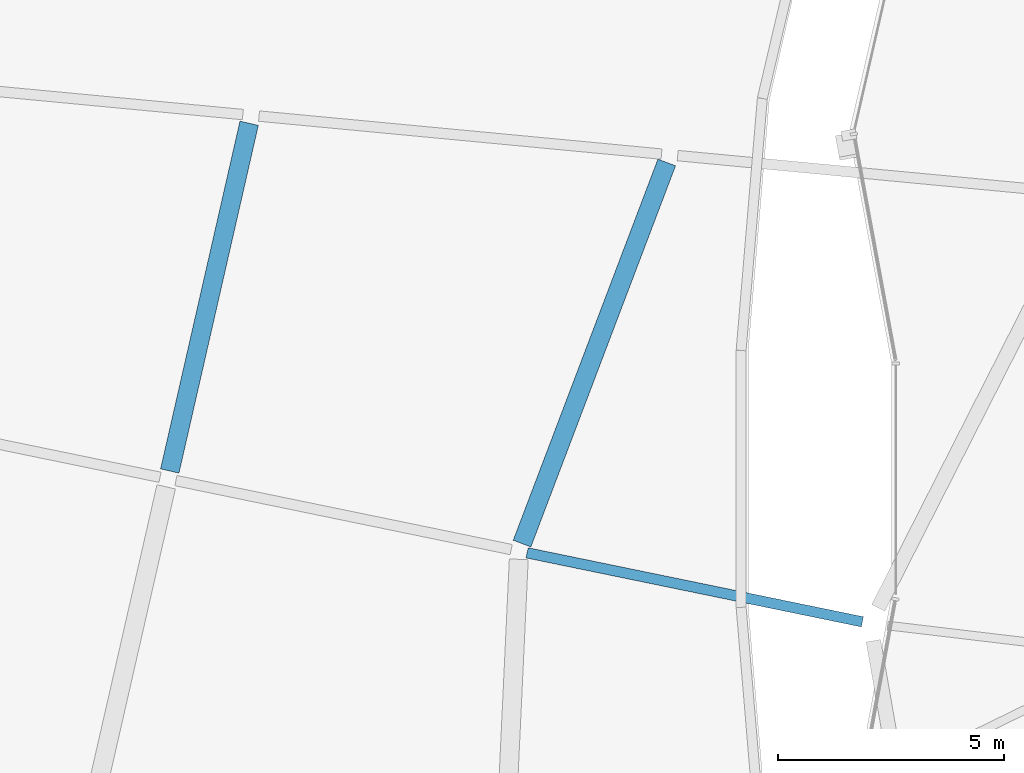
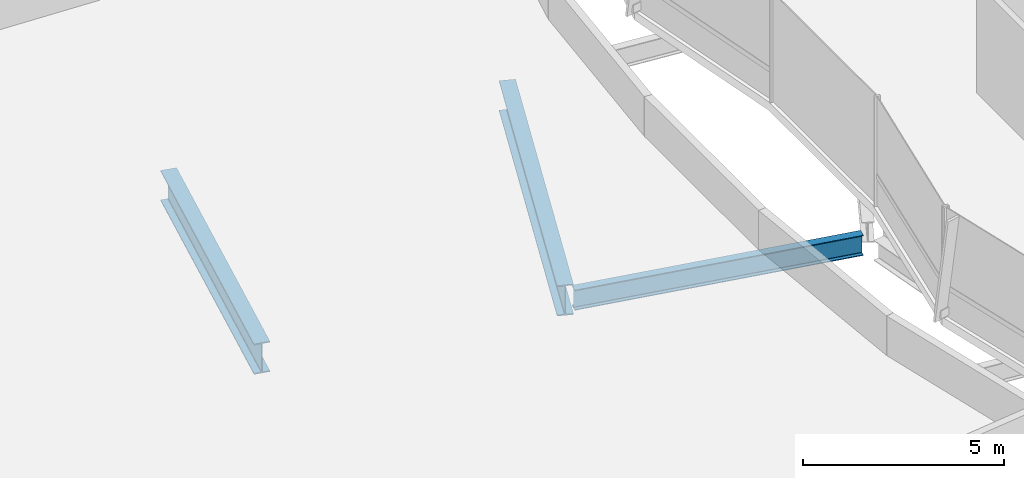
# One storey, part 8 of 31: 3 beams.
"""IFC4 building model written with IfcOpenShell, lengths in metres."""

from ifc_helpers import new_model, si_unit, direction, frame, origin, origin_2d, place, context, subcontext, project, spatial, i_section, extrude, material, material_profile, profile_set, type_object, element, save


model = new_model("IFC4")

# Units and contexts
model_context = context("Model", 3, precision=1e-05, world=origin(), true_north=direction((0.0, 1.0)))
body_context = subcontext(model_context, "Body", "Model", "MODEL_VIEW")
ifc_project = project(units=[si_unit("LENGTHUNIT", "METRE"), si_unit("AREAUNIT", "SQUARE_METRE"), si_unit("VOLUMEUNIT", "CUBIC_METRE"), si_unit("PLANEANGLEUNIT", "RADIAN"), si_unit("MASSUNIT", "GRAM", prefix="KILO"), si_unit("THERMODYNAMICTEMPERATUREUNIT", "KELVIN"), si_unit("POWERUNIT", "WATT")], contexts=[model_context])

# Site, building, storey
site_placement = place(None, origin())
site = spatial("IfcSite", under=ifc_project, at=site_placement, CompositionType="ELEMENT")
building_placement = place(site_placement, origin())
building = spatial("IfcBuilding", under=site, at=building_placement, Name="Cundina Bronze Exchange", CompositionType="ELEMENT")
storey_placement = place(building_placement, frame((0.0, 0.0, 275.60009765625)))
storey = spatial("IfcBuildingStorey", under=building, at=storey_placement, Name="L73", CompositionType="ELEMENT", Elevation=275.60009765625)

# Beams
ifc_material = material(Name="Steel ASTM A992 Grade 50", Category="steel")
ifc_material_profile_1 = material_profile(ifc_material, i_section(OverallWidth=0.22998046875, OverallDepth=0.616943359375, WebThickness=0.01318359375, FlangeThickness=0.022216796875, FilletRadius=0.013916015625, at=origin_2d()), Name="W24X94", Category="steel")
ifc_profile_set_1 = profile_set([ifc_material_profile_1], Name="Steel ASTM A992 Grade 50")
beam_type_1 = type_object("IfcBeamType", Name="BM-FLR-W24B", PredefinedType="BEAM", material=ifc_profile_set_1)
beam_1_placement = place(storey_placement, frame((7.951416015625, -1.63623046875, -0.57861328125), z_axis=(0.979471264571, -0.20158383338, 0.0), x_axis=(0.20158383338, 0.979471264571, 0.0)))
element("IfcBeam", 1, at=beam_1_placement, inside=storey, type_object=beam_type_1, Name="L73 Sky-Gate Longitudinal Girder Y2-P4", PredefinedType="BEAM", context=body_context, shape_type="SweptSolid", body=[
    extrude(i_section(OverallWidth=0.22998046875, OverallDepth=0.616943359375, WebThickness=0.01318359375, FlangeThickness=0.022216796875, FilletRadius=0.013916015625, at=origin_2d()), origin(), (0.0, 0.0, 1.0), 7.577880859375),
])
ifc_material_profile_2 = material_profile(ifc_material, i_section(OverallWidth=0.41796875, OverallDepth=0.927001953125, WebThickness=0.019287109375, FlangeThickness=0.031982421875, FilletRadius=0.02392578125, at=origin_2d()), Name="W36X231", Category="steel")
ifc_profile_set_2 = profile_set([ifc_material_profile_2], Name="Steel ASTM A992 Grade 50")
beam_type_2 = type_object("IfcBeamType", Name="BM-WRN-W36B", PredefinedType="USERDEFINED", material=ifc_profile_set_2)
beam_2_placement = place(storey_placement, frame((0.0400390625, 0.175537109375, -0.733642578125), z_axis=(0.222530984599, 0.974925618134, 0.0), x_axis=(-0.974925618134, 0.222530984599, 0.0)))
element("IfcBeam", 2, at=beam_2_placement, inside=storey, type_object=beam_type_2, Name="L73 Sky-Gate Transverse Girder X2-N", ObjectType="GIRDER", PredefinedType="USERDEFINED", context=body_context, shape_type="SweptSolid", body=[
    extrude(i_section(OverallWidth=0.41796875, OverallDepth=0.927001953125, WebThickness=0.019287109375, FlangeThickness=0.031982421875, FilletRadius=0.02392578125, at=origin_2d()), origin(), (0.0, 0.0, 1.0), 7.89697265625),
])
beam_3_placement = place(storey_placement, frame((7.8388671875, -1.431640625, -0.733642578125), z_axis=(0.354935532146, 0.934890778658, 0.0), x_axis=(-0.934890778658, 0.354935532146, 0.0)))
element("IfcBeam", 3, at=beam_3_placement, inside=storey, type_object=beam_type_2, Name="L73 Sky-Gate Transverse Girder X3-N", ObjectType="GIRDER", PredefinedType="USERDEFINED", context=body_context, shape_type="SweptSolid", body=[
    extrude(i_section(OverallWidth=0.41796875, OverallDepth=0.927001953125, WebThickness=0.019287109375, FlangeThickness=0.031982421875, FilletRadius=0.02392578125, at=origin_2d()), origin(), (0.0, 0.0, 1.0), 9.02587890625),
])

save(model, "model.ifc")
